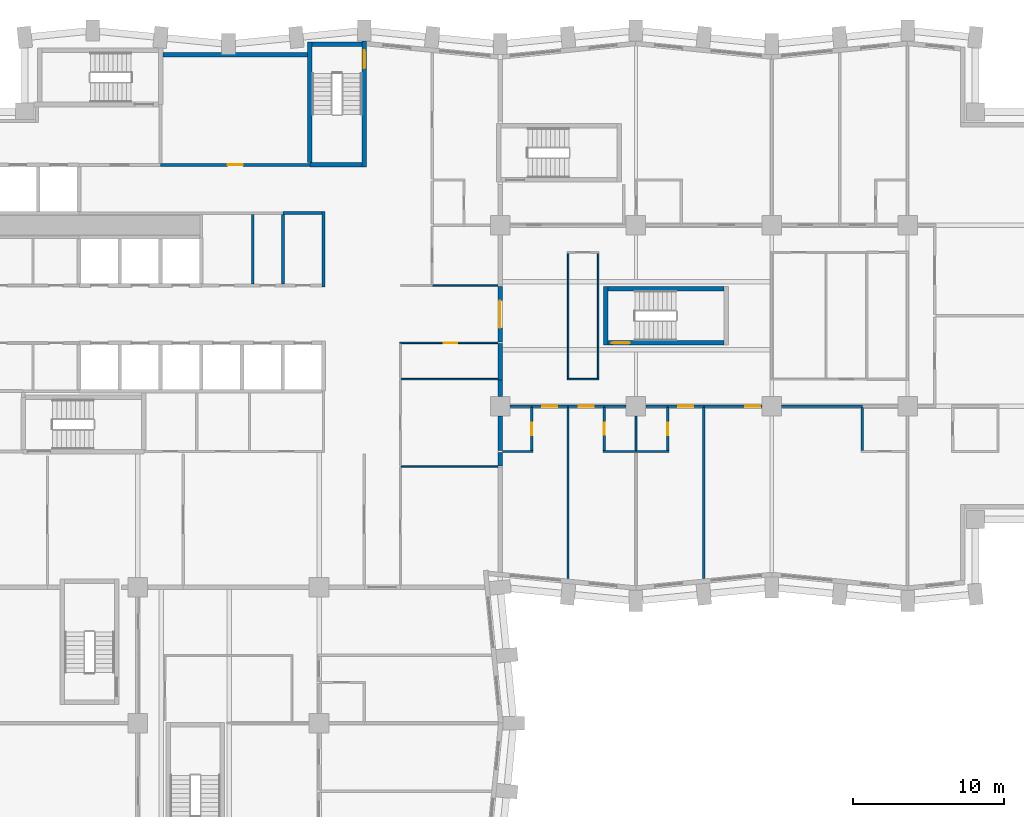
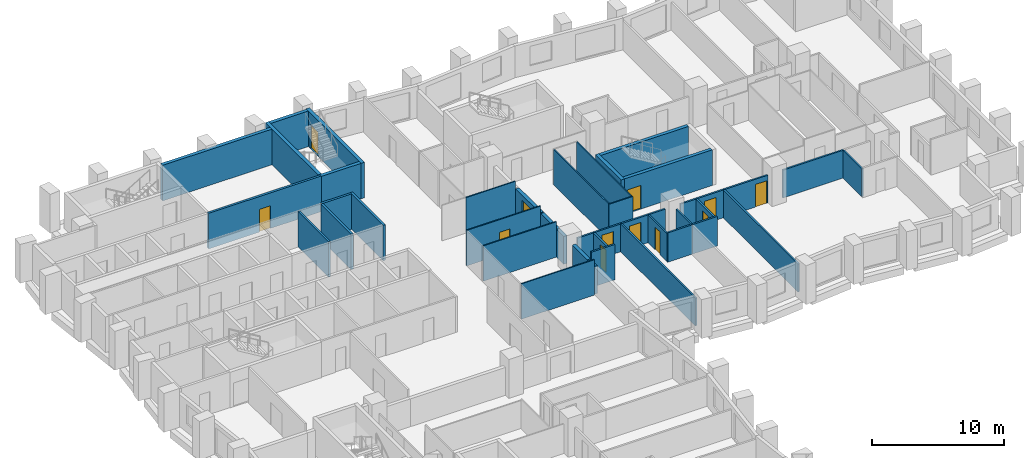
# One storey, part 7 of 12: 43 walls, 12 doors, 12 openings.
"""IFC4 building model written with IfcOpenShell, lengths in metres."""

from ifc_helpers import new_model, si_unit, direction, frame, frame_2d, origin, place, context, subcontext, project, spatial, rectangle, extrude, material, layer, layer_set, type_object, element, fill, save


model = new_model("IFC4")

# Units and contexts
model_context = context("Model", 3, precision=1e-05, world=origin(), true_north=direction((0.0, 1.0)))
body_context = subcontext(model_context, "Body", "Model", "MODEL_VIEW")
ifc_project = project(units=[si_unit("LENGTHUNIT", "METRE"), si_unit("AREAUNIT", "SQUARE_METRE"), si_unit("VOLUMEUNIT", "CUBIC_METRE"), si_unit("PLANEANGLEUNIT", "RADIAN"), si_unit("MASSUNIT", "GRAM", prefix="KILO")], contexts=[model_context])

# Site, building, storey
site_placement = place(None, origin())
site = spatial("IfcSite", under=ifc_project, at=site_placement, CompositionType="ELEMENT")
building_placement = place(site_placement, origin())
building = spatial("IfcBuilding", under=site, at=building_placement, Name="Brondeck Convention Tower", CompositionType="ELEMENT")
storey_placement = place(building_placement, frame((0.0, 0.0, 80.699951171875)))
storey = spatial("IfcBuildingStorey", under=building, at=storey_placement, Name="L18", CompositionType="ELEMENT", Elevation=80.699951171875)

# Walls
ifc_material_1 = material(Name="Concrete compartment wall C30/37", Category="concrete")
ifc_layer_1 = layer(ifc_material_1, 0.300048828125)
ifc_layer_set_1 = layer_set([ifc_layer_1], Name="Compartment wall 300")
wall_type_1 = type_object("IfcWallType", Name="Compartment wall 300", PredefinedType="PARTITIONING", material=ifc_layer_set_1)
wall_1_placement = place(storey_placement, frame((36.0, 35.925048828125, 0.0), z_axis=(0.0, 0.0, 1.0), x_axis=(0.0, -1.0, 0.0)))
element("IfcWall", 1, at=wall_1_placement, inside=storey, type_object=wall_type_1, Name="FLR-L18-W048", PredefinedType="PARTITIONING", context=body_context, shape_type="SweptSolid", body=[
    extrude(rectangle(XDim=0.875, YDim=0.300048828125, at=frame_2d((0.4375, 0.0))), origin(), (0.0, 0.0, 1.0), 2.580078125),
])
wall_2_placement = place(storey_placement, frame((36.0, 38.344970703125, 0.0), z_axis=(0.0, 0.0, 1.0), x_axis=(0.0, -1.0, 0.0)))
element("IfcWall", 2, at=wall_2_placement, inside=storey, type_object=wall_type_1, Name="FLR-L18-W059", PredefinedType="PARTITIONING", context=body_context, shape_type="SweptSolid", body=[
    extrude(rectangle(XDim=2.27001953125, YDim=0.300048828125, at=frame_2d((1.135009765625, 0.0))), origin(), (0.0, 0.0, 1.0), 2.580078125),
])
wall_3_placement = place(storey_placement, frame((36.0, 40.75, 0.0), z_axis=(0.0, 0.0, 1.0), x_axis=(0.0, -1.0, 0.0)))
element("IfcWall", 3, at=wall_3_placement, inside=storey, type_object=wall_type_1, Name="FLR-L18-W079", PredefinedType="PARTITIONING", context=body_context, shape_type="SweptSolid", body=[
    extrude(rectangle(XDim=1.094970703125, YDim=0.300048828125, at=frame_2d((0.54736328125, 0.0))), origin(), (0.0, 0.0, 1.0), 2.580078125),
])
wall_4_placement = place(storey_placement, frame((36.0, 43.14990234375, 0.0), z_axis=(0.0, 0.0, 1.0), x_axis=(0.0, -1.0, 0.0)))
element("IfcWall", 4, at=wall_4_placement, inside=storey, type_object=wall_type_1, Name="FLR-L18-W087", PredefinedType="PARTITIONING", context=body_context, shape_type="SweptSolid", body=[
    extrude(rectangle(XDim=2.39501953125, YDim=0.300048828125, at=frame_2d((1.197509765625, 0.0))), origin(), (0.0, 0.0, 1.0), 2.580078125),
])

# Wall, opening, door
wall_5_placement = place(storey_placement, frame((36.0, 46.949951171875, 0.0), z_axis=(0.0, 0.0, 1.0), x_axis=(0.0, -1.0, 0.0)))
wall_5 = element("IfcWall", 5, at=wall_5_placement, inside=storey, type_object=wall_type_1, Name="FLR-L18-W091", PredefinedType="PARTITIONING", context=body_context, shape_type="SweptSolid", body=[
    extrude(rectangle(XDim=3.699951171875, YDim=0.300048828125, at=frame_2d((1.85009765625, 0.0))), origin(), (0.0, 0.0, 1.0), 2.580078125),
])
opening_1_placement = place(wall_5_placement, frame((0.949951171875, 0.0, 0.0)))
opening_1 = element("IfcOpeningElement", 6, at=opening_1_placement, cuts=wall_5, Name="Opening H5-042", PredefinedType="OPENING", context=body_context, shape_type="SweptSolid", body=[
    extrude(rectangle(XDim=1.800048828125, YDim=2.10009765625, at=frame_2d((0.89990234375, 1.050048828125))), frame((0.0, 0.159912109375, 0.0), z_axis=(0.0, -1.0, 0.0), x_axis=(1.0, 0.0, 0.0)), (0.0, 0.0, 1.0), 0.320068359375),
])
ifc_material_2 = material(Name="Steel fire door pair", Category="steel")
door_type_1 = type_object("IfcDoorType", Name="Fire door pair 1800", OperationType="DOUBLE_DOOR_SINGLE_SWING", PredefinedType="DOOR", material=ifc_material_2)
door_1_placement = place(opening_1_placement, origin())
door_1 = element("IfcDoor", 7, at=door_1_placement, inside=storey, type_object=door_type_1, Name="Door H5-042", OperationType="DOUBLE_DOOR_SINGLE_SWING", OverallHeight=2.10009765625, OverallWidth=1.800048828125, PredefinedType="DOOR", context=body_context, shape_type="SweptSolid", body=[
    extrude(rectangle(XDim=1.800048828125, YDim=2.10009765625, at=frame_2d((0.89990234375, 1.050048828125))), frame((0.0, 0.02490234375, 0.0), z_axis=(0.0, -1.0, 0.0), x_axis=(1.0, 0.0, 0.0)), (0.0, 0.0, 1.0), 0.050048828125),
])
fill(opening_1, door_1)

# Walls
ifc_material_3 = material(Name="Concrete C80/95", Category="concrete")
ifc_layer_2 = layer(ifc_material_3, 0.199951171875)
ifc_layer_set_2 = layer_set([ifc_layer_2], Name="Core beam-seat wall 200 Concrete C80/95")
wall_type_2 = type_object("IfcWallType", Name="Core beam-seat wall 200 Concrete C80/95", PredefinedType="SHEAR", material=ifc_layer_set_2)
wall_6_placement = place(storey_placement, frame((24.300048828125, 46.89990234375, 0.0), z_axis=(0.0, 0.0, 1.0), x_axis=(0.0, 1.0, 0.0)))
element("IfcWall", 8, at=wall_6_placement, inside=storey, type_object=wall_type_2, Name="L18 core wall", PredefinedType="SHEAR", context=body_context, shape_type="SweptSolid", body=[
    extrude(rectangle(XDim=5.0, YDim=0.199951171875, at=frame_2d((2.5, 0.0))), origin(), (0.0, 0.0, 1.0), 3.300048828125),
])
ifc_layer_3 = layer(ifc_material_3, 0.300048828125)
ifc_layer_set_3 = layer_set([ifc_layer_3], Name="Core outer wall 300 Concrete C80/95")
wall_type_3 = type_object("IfcWallType", Name="Core outer wall 300 Concrete C80/95", PredefinedType="SHEAR", material=ifc_layer_set_3)
wall_7_placement = place(storey_placement, frame((13.64990234375, 62.300048828125, 0.0), z_axis=(0.0, 0.0, 1.0), x_axis=(1.0, 0.0, 0.0)))
element("IfcWall", 9, at=wall_7_placement, inside=storey, type_object=wall_type_3, Name="L18 core wall", PredefinedType="SHEAR", context=body_context, shape_type="SweptSolid", body=[
    extrude(rectangle(XDim=9.60009765625, YDim=0.300048828125, at=frame_2d((4.800048828125, 0.0))), origin(), (0.0, 0.0, 1.0), 3.300048828125),
])
ifc_material_4 = material(Name="Fire-rated gypsum board partition")
ifc_layer_4 = layer(ifc_material_4, 0.14990234375)
ifc_layer_set_4 = layer_set([ifc_layer_4], Name="Core partition 150 EI 60")
wall_type_4 = type_object("IfcWallType", Name="Core partition 150 EI 60", PredefinedType="PARTITIONING", material=ifc_layer_set_4)
wall_8_placement = place(storey_placement, frame((19.60009765625, 47.10009765625, 0.0), z_axis=(0.0, 0.0, 1.0), x_axis=(0.0, 1.0, 0.0)))
element("IfcWall", 10, at=wall_8_placement, inside=storey, type_object=wall_type_4, Name="L18 core wall", PredefinedType="PARTITIONING", context=body_context, shape_type="SweptSolid", body=[
    extrude(rectangle(XDim=4.625, YDim=0.14990234375, at=frame_2d((2.3125, 0.0))), origin(), (0.0, 0.0, 1.0), 3.300048828125),
])
ifc_material_5 = material(Name="Double gypsum board acoustic wall")
ifc_layer_5 = layer(ifc_material_5, 0.14990234375)
ifc_layer_set_5 = layer_set([ifc_layer_5], Name="Guest room party wall 150")
wall_type_5 = type_object("IfcWallType", Name="Guest room party wall 150", PredefinedType="PARTITIONING", material=ifc_layer_set_5)
wall_9_placement = place(storey_placement, frame((36.14990234375, 36.0, 0.0), z_axis=(0.0, 0.0, 1.0), x_axis=(1.0, 0.0, 0.0)))
element("IfcWall", 11, at=wall_9_placement, inside=storey, type_object=wall_type_5, Name="FLR-L18-W051", PredefinedType="PARTITIONING", context=body_context, shape_type="SweptSolid", body=[
    extrude(rectangle(XDim=2.025146484375, YDim=0.14990234375, at=frame_2d((1.0126953125, 0.0))), origin(), (0.0, 0.0, 1.0), 3.280029296875),
])
for number, where, z_axis, x_axis, name in (
    (12, (42.824951171875, 36.0, 0.0), (0.0, 0.0, 1.0), (1.0, 0.0, 0.0), "FLR-L18-W052"),
    (13, (45.0, 36.0, 0.0), (0.0, 0.0, 1.0), (1.0, 0.0, 0.0), "FLR-L18-W053"),
):
    element("IfcWall", number, at=place(storey_placement, frame(where, z_axis=z_axis, x_axis=x_axis)), inside=storey, type_object=wall_type_5, Name=name, PredefinedType="PARTITIONING", context=body_context, shape_type="SweptSolid", body=[
        extrude(rectangle(XDim=2.175048828125, YDim=0.14990234375, at=frame_2d((1.08740234375, 0.0))), origin(), (0.0, 0.0, 1.0), 2.72998046875),
    ])

# Wall, opening, door
wall_10_placement = place(storey_placement, frame((38.10009765625, 36.074951171875, 0.0), z_axis=(0.0, 0.0, 1.0), x_axis=(0.0, 1.0, 0.0)))
wall_10 = element("IfcWall", 14, at=wall_10_placement, inside=storey, type_object=wall_type_5, Name="FLR-L18-W056", PredefinedType="PARTITIONING", context=body_context, shape_type="SweptSolid", body=[
    extrude(rectangle(XDim=2.85009765625, YDim=0.14990234375, at=frame_2d((1.425048828125, 0.0))), origin(), (0.0, 0.0, 1.0), 2.580078125),
])
opening_2_placement = place(wall_10_placement, frame((1.02490234375, 0.0, 0.0)))
opening_2 = element("IfcOpeningElement", 15, at=opening_2_placement, cuts=wall_10, Name="Opening H5-008", PredefinedType="OPENING", context=body_context, shape_type="SweptSolid", body=[
    extrude(rectangle(XDim=0.800048828125, YDim=2.10009765625, at=frame_2d((0.39990234375, 1.050048828125))), frame((0.0, 0.0849609375, 0.0), z_axis=(0.0, -1.0, 0.0), x_axis=(1.0, 0.0, 0.0)), (0.0, 0.0, 1.0), 0.169921875),
])
ifc_material_6 = material(Name="Solid timber door leaf", Category="wood")
door_type_2 = type_object("IfcDoorType", Name="En-suite door 800", OperationType="NOTDEFINED", PredefinedType="DOOR", material=ifc_material_6)
door_2_placement = place(opening_2_placement, origin())
door_2 = element("IfcDoor", 16, at=door_2_placement, inside=storey, type_object=door_type_2, Name="Door H5-008", OperationType="SINGLE_SWING_LEFT", OverallHeight=2.10009765625, OverallWidth=0.800048828125, PredefinedType="DOOR", context=body_context, shape_type="SweptSolid", body=[
    extrude(rectangle(XDim=0.800048828125, YDim=2.10009765625, at=frame_2d((0.39990234375, 1.050048828125))), frame((0.0, 0.02490234375, 0.0), z_axis=(0.0, -1.0, 0.0), x_axis=(1.0, 0.0, 0.0)), (0.0, 0.0, 1.0), 0.050048828125),
])
fill(opening_2, door_2)

wall_11_placement = place(storey_placement, frame((47.10009765625, 36.074951171875, 0.0), z_axis=(0.0, 0.0, 1.0), x_axis=(0.0, 1.0, 0.0)))
wall_11 = element("IfcWall", 17, at=wall_11_placement, inside=storey, type_object=wall_type_5, Name="FLR-L18-W057", PredefinedType="PARTITIONING", context=body_context, shape_type="SweptSolid", body=[
    extrude(rectangle(XDim=2.85009765625, YDim=0.14990234375, at=frame_2d((1.425048828125, 0.0))), origin(), (0.0, 0.0, 1.0), 2.580078125),
])
opening_3_placement = place(wall_11_placement, frame((1.02490234375, 0.0, 0.0)))
opening_3 = element("IfcOpeningElement", 18, at=opening_3_placement, cuts=wall_11, Name="Opening H5-012", PredefinedType="OPENING", context=body_context, shape_type="SweptSolid", body=[
    extrude(rectangle(XDim=0.800048828125, YDim=2.10009765625, at=frame_2d((0.39990234375, 1.050048828125))), frame((0.0, 0.0849609375, 0.0), z_axis=(0.0, -1.0, 0.0), x_axis=(1.0, 0.0, 0.0)), (0.0, 0.0, 1.0), 0.169921875),
])
door_3_placement = place(opening_3_placement, origin())
door_3 = element("IfcDoor", 19, at=door_3_placement, inside=storey, type_object=door_type_2, Name="Door H5-012", OperationType="SINGLE_SWING_LEFT", OverallHeight=2.10009765625, OverallWidth=0.800048828125, PredefinedType="DOOR", context=body_context, shape_type="SweptSolid", body=[
    extrude(rectangle(XDim=0.800048828125, YDim=2.10009765625, at=frame_2d((0.39990234375, 1.050048828125))), frame((0.0, 0.02490234375, 0.0), z_axis=(0.0, -1.0, 0.0), x_axis=(1.0, 0.0, 0.0)), (0.0, 0.0, 1.0), 0.050048828125),
])
fill(opening_3, door_3)

# Walls
wall_12_placement = place(storey_placement, frame((45.0, 38.344970703125, 0.0), z_axis=(0.0, 0.0, 1.0), x_axis=(0.0, -1.0, 0.0)))
element("IfcWall", 20, at=wall_12_placement, inside=storey, type_object=wall_type_5, Name="FLR-L18-W060", PredefinedType="PARTITIONING", context=body_context, shape_type="SweptSolid", body=[
    extrude(rectangle(XDim=2.27001953125, YDim=0.14990234375, at=frame_2d((1.135009765625, 0.0))), origin(), (0.0, 0.0, 1.0), 2.72998046875),
])
wall_13_placement = place(storey_placement, frame((40.5, 38.925048828125, 0.0), z_axis=(0.0, 0.0, 1.0), x_axis=(0.0, -1.0, 0.0)))
element("IfcWall", 21, at=wall_13_placement, inside=storey, type_object=wall_type_5, Name="FLR-L18-W062", PredefinedType="PARTITIONING", context=body_context, shape_type="SweptSolid", body=[
    extrude(rectangle(XDim=11.35009765625, YDim=0.14990234375, at=frame_2d((5.675048828125, 0.0))), origin(), (0.0, 0.0, 1.0), 2.580078125),
])

# Wall, opening, door
wall_14_placement = place(storey_placement, frame((42.89990234375, 38.925048828125, 0.0), z_axis=(0.0, 0.0, 1.0), x_axis=(0.0, -1.0, 0.0)))
wall_14 = element("IfcWall", 22, at=wall_14_placement, inside=storey, type_object=wall_type_5, Name="FLR-L18-W063", PredefinedType="PARTITIONING", context=body_context, shape_type="SweptSolid", body=[
    extrude(rectangle(XDim=2.85009765625, YDim=0.14990234375, at=frame_2d((1.425048828125, 0.0))), origin(), (0.0, 0.0, 1.0), 2.580078125),
])
opening_4_placement = place(wall_14_placement, frame((1.02490234375, 0.0, 0.0)))
opening_4 = element("IfcOpeningElement", 23, at=opening_4_placement, cuts=wall_14, Name="Opening H5-010", PredefinedType="OPENING", context=body_context, shape_type="SweptSolid", body=[
    extrude(rectangle(XDim=0.800048828125, YDim=2.10009765625, at=frame_2d((0.39990234375, 1.050048828125))), frame((0.0, 0.0849609375, 0.0), z_axis=(0.0, -1.0, 0.0), x_axis=(1.0, 0.0, 0.0)), (0.0, 0.0, 1.0), 0.169921875),
])
door_4_placement = place(opening_4_placement, origin())
door_4 = element("IfcDoor", 24, at=door_4_placement, inside=storey, type_object=door_type_2, Name="Door H5-010", OperationType="SINGLE_SWING_LEFT", OverallHeight=2.10009765625, OverallWidth=0.800048828125, PredefinedType="DOOR", context=body_context, shape_type="SweptSolid", body=[
    extrude(rectangle(XDim=0.800048828125, YDim=2.10009765625, at=frame_2d((0.39990234375, 1.050048828125))), frame((0.0, 0.02490234375, 0.0), z_axis=(0.0, -1.0, 0.0), x_axis=(1.0, 0.0, 0.0)), (0.0, 0.0, 1.0), 0.050048828125),
])
fill(opening_4, door_4)

# Walls
wall_15_placement = place(storey_placement, frame((49.5, 38.925048828125, 0.0), z_axis=(0.0, 0.0, 1.0), x_axis=(0.0, -1.0, 0.0)))
element("IfcWall", 25, at=wall_15_placement, inside=storey, type_object=wall_type_5, Name="FLR-L18-W064", PredefinedType="PARTITIONING", context=body_context, shape_type="SweptSolid", body=[
    extrude(rectangle(XDim=11.35009765625, YDim=0.14990234375, at=frame_2d((5.675048828125, 0.0))), origin(), (0.0, 0.0, 1.0), 2.580078125),
])
wall_16_placement = place(storey_placement, frame((60.0, 38.925048828125, 0.0), z_axis=(0.0, 0.0, 1.0), x_axis=(0.0, -1.0, 0.0)))
element("IfcWall", 26, at=wall_16_placement, inside=storey, type_object=wall_type_5, Name="FLR-L18-W065", PredefinedType="PARTITIONING", context=body_context, shape_type="SweptSolid", body=[
    extrude(rectangle(XDim=2.85009765625, YDim=0.14990234375, at=frame_2d((1.425048828125, 0.0))), origin(), (0.0, 0.0, 1.0), 2.580078125),
])
wall_17_placement = place(storey_placement, frame((38.10009765625, 39.0, 0.0), z_axis=(0.0, 0.0, 1.0), x_axis=(-1.0, 0.0, 0.0)))
element("IfcWall", 27, at=wall_17_placement, inside=storey, type_object=wall_type_5, Name="FLR-L18-W067", PredefinedType="PARTITIONING", context=body_context, shape_type="SweptSolid", body=[
    extrude(rectangle(XDim=1.445068359375, YDim=0.14990234375, at=frame_2d((0.72265625, 0.0))), origin(), (0.0, 0.0, 1.0), 2.580078125),
])

# Wall, opening, door
wall_18_placement = place(storey_placement, frame((40.5, 39.0, 0.0), z_axis=(0.0, 0.0, 1.0), x_axis=(-1.0, 0.0, 0.0)))
wall_18 = element("IfcWall", 28, at=wall_18_placement, inside=storey, type_object=wall_type_5, Name="FLR-L18-W068", PredefinedType="PARTITIONING", context=body_context, shape_type="SweptSolid", body=[
    extrude(rectangle(XDim=2.39990234375, YDim=0.14990234375, at=frame_2d((1.199951171875, 0.0))), origin(), (0.0, 0.0, 1.0), 2.580078125),
])
opening_5_placement = place(wall_18_placement, frame((0.699951171875, 0.0, 0.0)))
opening_5 = element("IfcOpeningElement", 29, at=opening_5_placement, cuts=wall_18, Name="Opening H5-007", PredefinedType="OPENING", context=body_context, shape_type="SweptSolid", body=[
    extrude(rectangle(XDim=1.0, YDim=2.10009765625, at=frame_2d((0.5, 1.050048828125))), frame((0.0, 0.0849609375, 0.0), z_axis=(0.0, -1.0, 0.0), x_axis=(1.0, 0.0, 0.0)), (0.0, 0.0, 1.0), 0.169921875),
])
ifc_material_7 = material(Name="Solid timber fire door leaf", Category="wood")
door_type_3 = type_object("IfcDoorType", Name="Guest room door 1000", OperationType="NOTDEFINED", PredefinedType="DOOR", material=ifc_material_7)
door_5_placement = place(opening_5_placement, origin())
door_5 = element("IfcDoor", 30, at=door_5_placement, inside=storey, type_object=door_type_3, Name="Door H5-007", OperationType="SINGLE_SWING_LEFT", OverallHeight=2.10009765625, OverallWidth=1.0, PredefinedType="DOOR", context=body_context, shape_type="SweptSolid", body=[
    extrude(rectangle(XDim=1.0, YDim=2.10009765625, at=frame_2d((0.5, 1.050048828125))), frame((0.0, 0.02490234375, 0.0), z_axis=(0.0, -1.0, 0.0), x_axis=(1.0, 0.0, 0.0)), (0.0, 0.0, 1.0), 0.050048828125),
])
fill(opening_5, door_5)

wall_19_placement = place(storey_placement, frame((42.89990234375, 39.0, 0.0), z_axis=(0.0, 0.0, 1.0), x_axis=(-1.0, 0.0, 0.0)))
wall_19 = element("IfcWall", 31, at=wall_19_placement, inside=storey, type_object=wall_type_5, Name="FLR-L18-W069", PredefinedType="PARTITIONING", context=body_context, shape_type="SweptSolid", body=[
    extrude(rectangle(XDim=2.39990234375, YDim=0.14990234375, at=frame_2d((1.199951171875, 0.0))), origin(), (0.0, 0.0, 1.0), 2.580078125),
])
opening_6_placement = place(wall_19_placement, frame((0.699951171875, 0.0, 0.0)))
opening_6 = element("IfcOpeningElement", 32, at=opening_6_placement, cuts=wall_19, Name="Opening H5-009", PredefinedType="OPENING", context=body_context, shape_type="SweptSolid", body=[
    extrude(rectangle(XDim=1.0, YDim=2.10009765625, at=frame_2d((0.5, 1.050048828125))), frame((0.0, 0.0849609375, 0.0), z_axis=(0.0, -1.0, 0.0), x_axis=(1.0, 0.0, 0.0)), (0.0, 0.0, 1.0), 0.169921875),
])
door_6_placement = place(opening_6_placement, origin())
door_6 = element("IfcDoor", 33, at=door_6_placement, inside=storey, type_object=door_type_3, Name="Door H5-009", OperationType="SINGLE_SWING_LEFT", OverallHeight=2.10009765625, OverallWidth=1.0, PredefinedType="DOOR", context=body_context, shape_type="SweptSolid", body=[
    extrude(rectangle(XDim=1.0, YDim=2.10009765625, at=frame_2d((0.5, 1.050048828125))), frame((0.0, 0.02490234375, 0.0), z_axis=(0.0, -1.0, 0.0), x_axis=(1.0, 0.0, 0.0)), (0.0, 0.0, 1.0), 0.050048828125),
])
fill(opening_6, door_6)

# Walls
for number, where, z_axis, x_axis, name in (
    (34, (44.344970703125, 39.0, 0.0), (0.0, 0.0, 1.0), (-1.0, 0.0, 0.0), "FLR-L18-W070"),
    (35, (47.10009765625, 39.0, 0.0), (0.0, 0.0, 1.0), (-1.0, 0.0, 0.0), "FLR-L18-W071"),
):
    element("IfcWall", number, at=place(storey_placement, frame(where, z_axis=z_axis, x_axis=x_axis)), inside=storey, type_object=wall_type_5, Name=name, PredefinedType="PARTITIONING", context=body_context, shape_type="SweptSolid", body=[
        extrude(rectangle(XDim=1.445068359375, YDim=0.14990234375, at=frame_2d((0.72265625, 0.0))), origin(), (0.0, 0.0, 1.0), 2.580078125),
    ])

# Wall, opening, door
wall_20_placement = place(storey_placement, frame((49.5, 39.0, 0.0), z_axis=(0.0, 0.0, 1.0), x_axis=(-1.0, 0.0, 0.0)))
wall_20 = element("IfcWall", 36, at=wall_20_placement, inside=storey, type_object=wall_type_5, Name="FLR-L18-W072", PredefinedType="PARTITIONING", context=body_context, shape_type="SweptSolid", body=[
    extrude(rectangle(XDim=2.39990234375, YDim=0.14990234375, at=frame_2d((1.199951171875, 0.0))), origin(), (0.0, 0.0, 1.0), 2.580078125),
])
opening_7_placement = place(wall_20_placement, frame((0.699951171875, 0.0, 0.0)))
opening_7 = element("IfcOpeningElement", 37, at=opening_7_placement, cuts=wall_20, Name="Opening H5-011", PredefinedType="OPENING", context=body_context, shape_type="SweptSolid", body=[
    extrude(rectangle(XDim=1.0, YDim=2.10009765625, at=frame_2d((0.5, 1.050048828125))), frame((0.0, 0.0849609375, 0.0), z_axis=(0.0, -1.0, 0.0), x_axis=(1.0, 0.0, 0.0)), (0.0, 0.0, 1.0), 0.169921875),
])
door_7_placement = place(opening_7_placement, origin())
door_7 = element("IfcDoor", 38, at=door_7_placement, inside=storey, type_object=door_type_3, Name="Door H5-011", OperationType="SINGLE_SWING_LEFT", OverallHeight=2.10009765625, OverallWidth=1.0, PredefinedType="DOOR", context=body_context, shape_type="SweptSolid", body=[
    extrude(rectangle(XDim=1.0, YDim=2.10009765625, at=frame_2d((0.5, 1.050048828125))), frame((0.0, 0.02490234375, 0.0), z_axis=(0.0, -1.0, 0.0), x_axis=(1.0, 0.0, 0.0)), (0.0, 0.0, 1.0), 0.050048828125),
])
fill(opening_7, door_7)

wall_21_placement = place(storey_placement, frame((53.344970703125, 39.0, 0.0), z_axis=(0.0, 0.0, 1.0), x_axis=(-1.0, 0.0, 0.0)))
wall_21 = element("IfcWall", 39, at=wall_21_placement, inside=storey, type_object=wall_type_5, Name="FLR-L18-W073", PredefinedType="PARTITIONING", context=body_context, shape_type="SweptSolid", body=[
    extrude(rectangle(XDim=3.844970703125, YDim=0.14990234375, at=frame_2d((1.92236328125, 0.0))), origin(), (0.0, 0.0, 1.0), 2.580078125),
])
opening_8_placement = place(wall_21_placement, frame((0.10009765625, 0.0, 0.0)))
opening_8 = element("IfcOpeningElement", 40, at=opening_8_placement, cuts=wall_21, Name="Opening H5-013", PredefinedType="OPENING", context=body_context, shape_type="SweptSolid", body=[
    extrude(rectangle(XDim=1.0, YDim=2.10009765625, at=frame_2d((0.5, 1.050048828125))), frame((0.0, 0.0849609375, 0.0), z_axis=(0.0, -1.0, 0.0), x_axis=(1.0, 0.0, 0.0)), (0.0, 0.0, 1.0), 0.169921875),
])
door_8_placement = place(opening_8_placement, origin())
door_8 = element("IfcDoor", 41, at=door_8_placement, inside=storey, type_object=door_type_3, Name="Door H5-013", OperationType="SINGLE_SWING_RIGHT", OverallHeight=2.10009765625, OverallWidth=1.0, PredefinedType="DOOR", context=body_context, shape_type="SweptSolid", body=[
    extrude(rectangle(XDim=1.0, YDim=2.10009765625, at=frame_2d((0.5, 1.050048828125))), frame((0.0, 0.02490234375, 0.0), z_axis=(0.0, -1.0, 0.0), x_axis=(1.0, 0.0, 0.0)), (0.0, 0.0, 1.0), 0.050048828125),
])
fill(opening_8, door_8)

# Walls
wall_22_placement = place(storey_placement, frame((60.0, 39.0, 0.0), z_axis=(0.0, 0.0, 1.0), x_axis=(-1.0, 0.0, 0.0)))
element("IfcWall", 42, at=wall_22_placement, inside=storey, type_object=wall_type_5, Name="FLR-L18-W074", PredefinedType="PARTITIONING", context=body_context, shape_type="SweptSolid", body=[
    extrude(rectangle(XDim=5.344970703125, YDim=0.14990234375, at=frame_2d((2.67236328125, 0.0))), origin(), (0.0, 0.0, 1.0), 2.580078125),
])
ifc_layer_6 = layer(ifc_material_4, 0.199951171875)
ifc_layer_set_6 = layer_set([ifc_layer_6], Name="Riser wall 200 EI 120")
wall_type_6 = type_object("IfcWallType", Name="Riser wall 200 EI 120", PredefinedType="PARTITIONING", material=ifc_layer_set_6)
wall_23_placement = place(storey_placement, frame((21.60009765625, 51.800048828125, 0.0), z_axis=(0.0, 0.0, 1.0), x_axis=(1.0, 0.0, 0.0)))
element("IfcWall", 43, at=wall_23_placement, inside=storey, type_object=wall_type_6, Name="L18 core wall", PredefinedType="PARTITIONING", context=body_context, shape_type="SweptSolid", body=[
    extrude(rectangle(XDim=2.599853515625, YDim=0.199951171875, at=frame_2d((1.2998046875, 0.0))), origin(), (0.0, 0.0, 1.0), 3.300048828125),
])

# Wall, opening, door
wall_24_placement = place(storey_placement, frame((13.5, 55.0, 0.0), z_axis=(0.0, 0.0, 1.0), x_axis=(1.0, 0.0, 0.0)))
wall_24 = element("IfcWall", 44, at=wall_24_placement, inside=storey, type_object=wall_type_6, Name="L18 core wall", PredefinedType="PARTITIONING", context=body_context, shape_type="SweptSolid", body=[
    extrude(rectangle(XDim=9.89990234375, YDim=0.199951171875, at=frame_2d((4.949951171875, 0.0))), origin(), (0.0, 0.0, 1.0), 3.300048828125),
])
opening_9_placement = place(wall_24_placement, frame((4.449951171875, 0.0, 0.0)))
opening_9 = element("IfcOpeningElement", 45, at=opening_9_placement, cuts=wall_24, Name="Opening C12-13", PredefinedType="OPENING", context=body_context, shape_type="SweptSolid", body=[
    extrude(rectangle(XDim=1.0, YDim=2.10009765625, at=frame_2d((0.5, 1.050048828125))), frame((0.0, 0.10986328125, 0.0), z_axis=(0.0, -1.0, 0.0), x_axis=(1.0, 0.0, 0.0)), (0.0, 0.0, 1.0), 0.219970703125),
])
ifc_material_8 = material(Name="Steel fire door", Category="steel")
door_type_4 = type_object("IfcDoorType", Name="Riser door 1000x2100 EI 120", OperationType="NOTDEFINED", PredefinedType="DOOR", material=ifc_material_8)
door_9_placement = place(opening_9_placement, origin())
door_9 = element("IfcDoor", 46, at=door_9_placement, inside=storey, type_object=door_type_4, Name="L18 Riser door NE-1", OperationType="SINGLE_SWING_LEFT", OverallHeight=2.10009765625, OverallWidth=1.0, PredefinedType="DOOR", context=body_context, shape_type="SweptSolid", body=[
    extrude(rectangle(XDim=1.0, YDim=2.10009765625, at=frame_2d((0.5, 1.050048828125))), frame((0.0, 0.02490234375, 0.0), z_axis=(0.0, -1.0, 0.0), x_axis=(1.0, 0.0, 0.0)), (0.0, 0.0, 1.0), 0.050048828125),
])
fill(opening_9, door_9)

# Walls
wall_25_placement = place(storey_placement, frame((21.60009765625, 47.10009765625, 0.0), z_axis=(0.0, 0.0, 1.0), x_axis=(0.0, 1.0, 0.0)))
element("IfcWall", 47, at=wall_25_placement, inside=storey, type_object=wall_type_6, Name="L18 core wall", PredefinedType="PARTITIONING", context=body_context, shape_type="SweptSolid", body=[
    extrude(rectangle(XDim=4.599853515625, YDim=0.199951171875, at=frame_2d((2.2998046875, 0.0))), origin(), (0.0, 0.0, 1.0), 3.300048828125),
])
ifc_material_9 = material(Name="Gypsum board partition on steel studs", Category="steel")
ifc_layer_7 = layer(ifc_material_9, 0.10009765625)
ifc_layer_set_7 = layer_set([ifc_layer_7], Name="Room partition 100")
wall_type_7 = type_object("IfcWallType", Name="Room partition 100", PredefinedType="PARTITIONING", material=ifc_layer_set_7)
for number, where, z_axis, x_axis, name in (
    (48, (35.85009765625, 35.0, 0.0), (0.0, 0.0, 1.0), (-1.0, 0.0, 0.0), "FLR-L18-W045"),
    (49, (35.85009765625, 40.800048828125, 0.0), (0.0, 0.0, 1.0), (-1.0, 0.0, 0.0), "FLR-L18-W080"),
):
    element("IfcWall", number, at=place(storey_placement, frame(where, z_axis=z_axis, x_axis=x_axis)), inside=storey, type_object=wall_type_7, Name=name, PredefinedType="PARTITIONING", context=body_context, shape_type="SweptSolid", body=[
        extrude(rectangle(XDim=6.400146484375, YDim=0.10009765625, at=frame_2d((3.2001953125, 0.0))), origin(), (0.0, 0.0, 1.0), 3.280029296875),
    ])
wall_26_placement = place(storey_placement, frame((40.449951171875, 40.800048828125, 0.0), z_axis=(0.0, 0.0, 1.0), x_axis=(1.0, 0.0, 0.0)))
element("IfcWall", 50, at=wall_26_placement, inside=storey, type_object=wall_type_7, Name="FLR-L18-W081", PredefinedType="PARTITIONING", context=body_context, shape_type="SweptSolid", body=[
    extrude(rectangle(XDim=2.10009765625, YDim=0.10009765625, at=frame_2d((1.050048828125, 0.0))), origin(), (0.0, 0.0, 1.0), 3.280029296875),
])

# Wall, opening, door
wall_27_placement = place(storey_placement, frame((35.85009765625, 43.199951171875, 0.0), z_axis=(0.0, 0.0, 1.0), x_axis=(-1.0, 0.0, 0.0)))
wall_27 = element("IfcWall", 51, at=wall_27_placement, inside=storey, type_object=wall_type_7, Name="FLR-L18-W088", PredefinedType="PARTITIONING", context=body_context, shape_type="SweptSolid", body=[
    extrude(rectangle(XDim=6.5, YDim=0.10009765625, at=frame_2d((3.25, 0.0))), origin(), (0.0, 0.0, 1.0), 3.280029296875),
])
opening_10_placement = place(wall_27_placement, frame((2.699951171875, 0.0, 0.0)))
opening_10 = element("IfcOpeningElement", 52, at=opening_10_placement, cuts=wall_27, Name="Opening H5-036", PredefinedType="OPENING", context=body_context, shape_type="SweptSolid", body=[
    extrude(rectangle(XDim=0.89990234375, YDim=2.10009765625, at=frame_2d((0.449951171875, 1.050048828125))), frame((0.0, 0.06005859375, 0.0), z_axis=(0.0, -1.0, 0.0), x_axis=(1.0, 0.0, 0.0)), (0.0, 0.0, 1.0), 0.1201171875),
])
door_type_5 = type_object("IfcDoorType", Name="Single door 900", OperationType="NOTDEFINED", PredefinedType="DOOR", material=ifc_material_6)
door_10_placement = place(opening_10_placement, origin())
door_10 = element("IfcDoor", 53, at=door_10_placement, inside=storey, type_object=door_type_5, Name="Door H5-036", OperationType="SINGLE_SWING_LEFT", OverallHeight=2.10009765625, OverallWidth=0.89990234375, PredefinedType="DOOR", context=body_context, shape_type="SweptSolid", body=[
    extrude(rectangle(XDim=0.89990234375, YDim=2.10009765625, at=frame_2d((0.449951171875, 1.050048828125))), frame((0.0, 0.02490234375, 0.0), z_axis=(0.0, -1.0, 0.0), x_axis=(1.0, 0.0, 0.0)), (0.0, 0.0, 1.0), 0.050048828125),
])
fill(opening_10, door_10)

# Walls
wall_28_placement = place(storey_placement, frame((31.5, 47.0, 0.0), z_axis=(0.0, 0.0, 1.0), x_axis=(1.0, 0.0, 0.0)))
element("IfcWall", 54, at=wall_28_placement, inside=storey, type_object=wall_type_7, Name="FLR-L18-W093", PredefinedType="PARTITIONING", context=body_context, shape_type="SweptSolid", body=[
    extrude(rectangle(XDim=4.35009765625, YDim=0.10009765625, at=frame_2d((2.175048828125, 0.0))), origin(), (0.0, 0.0, 1.0), 3.280029296875),
])
for number, where, z_axis, x_axis, name in (
    (55, (40.5, 49.14990234375, 0.0), (0.0, 0.0, 1.0), (0.0, -1.0, 0.0), "FLR-L18-W095"),
    (56, (42.5, 49.14990234375, 0.0), (0.0, 0.0, 1.0), (0.0, -1.0, 0.0), "FLR-L18-W096"),
):
    element("IfcWall", number, at=place(storey_placement, frame(where, z_axis=z_axis, x_axis=x_axis)), inside=storey, type_object=wall_type_7, Name=name, PredefinedType="PARTITIONING", context=body_context, shape_type="SweptSolid", body=[
        extrude(rectangle(XDim=8.2998046875, YDim=0.10009765625, at=frame_2d((4.14990234375, 0.0))), origin(), (0.0, 0.0, 1.0), 3.280029296875),
    ])

# Wall, opening, door
ifc_layer_8 = layer(ifc_material_3, 0.300048828125)
ifc_layer_set_8 = layer_set([ifc_layer_8], Name="Stair enclosure wall 300 Concrete C80/95")
wall_type_8 = type_object("IfcWallType", Name="Stair enclosure wall 300 Concrete C80/95", PredefinedType="SHEAR", material=ifc_layer_set_8)
wall_29_placement = place(storey_placement, frame((43.14990234375, 43.199951171875, 0.0), z_axis=(0.0, 0.0, 1.0), x_axis=(1.0, 0.0, 0.0)))
wall_29 = element("IfcWall", 57, at=wall_29_placement, inside=storey, type_object=wall_type_8, Name="L18 core wall", PredefinedType="SHEAR", context=body_context, shape_type="SweptSolid", body=[
    extrude(rectangle(XDim=7.7001953125, YDim=0.300048828125, at=frame_2d((3.85009765625, 0.0))), origin(), (0.0, 0.0, 1.0), 3.300048828125),
])
opening_11_placement = place(wall_29_placement, frame((0.25, 0.0, 0.0)))
opening_11 = element("IfcOpeningElement", 58, at=opening_11_placement, cuts=wall_29, Name="Opening C12-18", PredefinedType="OPENING", context=body_context, shape_type="SweptSolid", body=[
    extrude(rectangle(XDim=1.199951171875, YDim=2.199951171875, at=frame_2d((0.60009765625, 1.10009765625))), frame((0.0, 0.159912109375, 0.0), z_axis=(0.0, -1.0, 0.0), x_axis=(1.0, 0.0, 0.0)), (0.0, 0.0, 1.0), 0.320068359375),
])
door_type_6 = type_object("IfcDoorType", Name="Stair door 1200x2200 EI 90", OperationType="NOTDEFINED", PredefinedType="DOOR", material=ifc_material_8)
door_11_placement = place(opening_11_placement, origin())
door_11 = element("IfcDoor", 59, at=door_11_placement, inside=storey, type_object=door_type_6, Name="L18 Stair door ST-AF", OperationType="SINGLE_SWING_RIGHT", OverallHeight=2.199951171875, OverallWidth=1.199951171875, PredefinedType="DOOR", context=body_context, shape_type="SweptSolid", body=[
    extrude(rectangle(XDim=1.199951171875, YDim=2.199951171875, at=frame_2d((0.60009765625, 1.10009765625))), frame((0.0, 0.02490234375, 0.0), z_axis=(0.0, -1.0, 0.0), x_axis=(1.0, 0.0, 0.0)), (0.0, 0.0, 1.0), 0.050048828125),
])
fill(opening_11, door_11)

# Walls
wall_30_placement = place(storey_placement, frame((43.14990234375, 46.800048828125, 0.0), z_axis=(0.0, 0.0, 1.0), x_axis=(1.0, 0.0, 0.0)))
element("IfcWall", 60, at=wall_30_placement, inside=storey, type_object=wall_type_8, Name="L18 core wall", PredefinedType="SHEAR", context=body_context, shape_type="SweptSolid", body=[
    extrude(rectangle(XDim=7.7001953125, YDim=0.300048828125, at=frame_2d((3.85009765625, 0.0))), origin(), (0.0, 0.0, 1.0), 3.300048828125),
])
wall_31_placement = place(storey_placement, frame((23.39990234375, 55.0, 0.0), z_axis=(0.0, 0.0, 1.0), x_axis=(1.0, 0.0, 0.0)))
element("IfcWall", 61, at=wall_31_placement, inside=storey, type_object=wall_type_8, Name="L18 core wall", PredefinedType="SHEAR", context=body_context, shape_type="SweptSolid", body=[
    extrude(rectangle(XDim=3.4501953125, YDim=0.300048828125, at=frame_2d((1.72509765625, 0.0))), origin(), (0.0, 0.0, 1.0), 3.300048828125),
])
wall_32_placement = place(storey_placement, frame((23.550048828125, 63.0, 0.0), z_axis=(0.0, 0.0, 1.0), x_axis=(1.0, 0.0, 0.0)))
element("IfcWall", 62, at=wall_32_placement, inside=storey, type_object=wall_type_8, Name="L18 core wall", PredefinedType="SHEAR", context=body_context, shape_type="SweptSolid", body=[
    extrude(rectangle(XDim=3.300048828125, YDim=0.300048828125, at=frame_2d((1.64990234375, 0.0))), origin(), (0.0, 0.0, 1.0), 3.300048828125),
])
wall_33_placement = place(storey_placement, frame((23.39990234375, 55.14990234375, 0.0), z_axis=(0.0, 0.0, 1.0), x_axis=(0.0, 1.0, 0.0)))
element("IfcWall", 63, at=wall_33_placement, inside=storey, type_object=wall_type_8, Name="L18 core wall", PredefinedType="SHEAR", context=body_context, shape_type="SweptSolid", body=[
    extrude(rectangle(XDim=8.0, YDim=0.300048828125, at=frame_2d((4.0, 0.0))), origin(), (0.0, 0.0, 1.0), 3.300048828125),
])

# Wall, opening, door
wall_34_placement = place(storey_placement, frame((27.0, 54.85009765625, 0.0), z_axis=(0.0, 0.0, 1.0), x_axis=(0.0, 1.0, 0.0)))
wall_34 = element("IfcWall", 64, at=wall_34_placement, inside=storey, type_object=wall_type_8, Name="L18 core wall", PredefinedType="SHEAR", context=body_context, shape_type="SweptSolid", body=[
    extrude(rectangle(XDim=8.349853515625, YDim=0.300048828125, at=frame_2d((4.1748046875, 0.0))), origin(), (0.0, 0.0, 1.0), 3.300048828125),
])
opening_12_placement = place(wall_34_placement, frame((6.550048828125, 0.0, 0.0)))
opening_12 = element("IfcOpeningElement", 65, at=opening_12_placement, cuts=wall_34, Name="Opening C12-15", PredefinedType="OPENING", context=body_context, shape_type="SweptSolid", body=[
    extrude(rectangle(XDim=1.199951171875, YDim=2.199951171875, at=frame_2d((0.60009765625, 1.10009765625))), frame((0.0, 0.159912109375, 0.0), z_axis=(0.0, -1.0, 0.0), x_axis=(1.0, 0.0, 0.0)), (0.0, 0.0, 1.0), 0.320068359375),
])
door_12_placement = place(opening_12_placement, origin())
door_12 = element("IfcDoor", 66, at=door_12_placement, inside=storey, type_object=door_type_6, Name="L18 Stair door ST-2", OperationType="SINGLE_SWING_LEFT", OverallHeight=2.199951171875, OverallWidth=1.199951171875, PredefinedType="DOOR", context=body_context, shape_type="SweptSolid", body=[
    extrude(rectangle(XDim=1.199951171875, YDim=2.199951171875, at=frame_2d((0.60009765625, 1.10009765625))), frame((0.0, 0.02490234375, 0.0), z_axis=(0.0, -1.0, 0.0), x_axis=(1.0, 0.0, 0.0)), (0.0, 0.0, 1.0), 0.050048828125),
])
fill(opening_12, door_12)

# Wall
wall_35_placement = place(storey_placement, frame((43.0, 43.050048828125, 0.0), z_axis=(0.0, 0.0, 1.0), x_axis=(0.0, 1.0, 0.0)))
element("IfcWall", 67, at=wall_35_placement, inside=storey, type_object=wall_type_8, Name="L18 core wall", PredefinedType="SHEAR", context=body_context, shape_type="SweptSolid", body=[
    extrude(rectangle(XDim=3.89990234375, YDim=0.300048828125, at=frame_2d((1.949951171875, 0.0))), origin(), (0.0, 0.0, 1.0), 3.300048828125),
])

save(model, "model.ifc")
